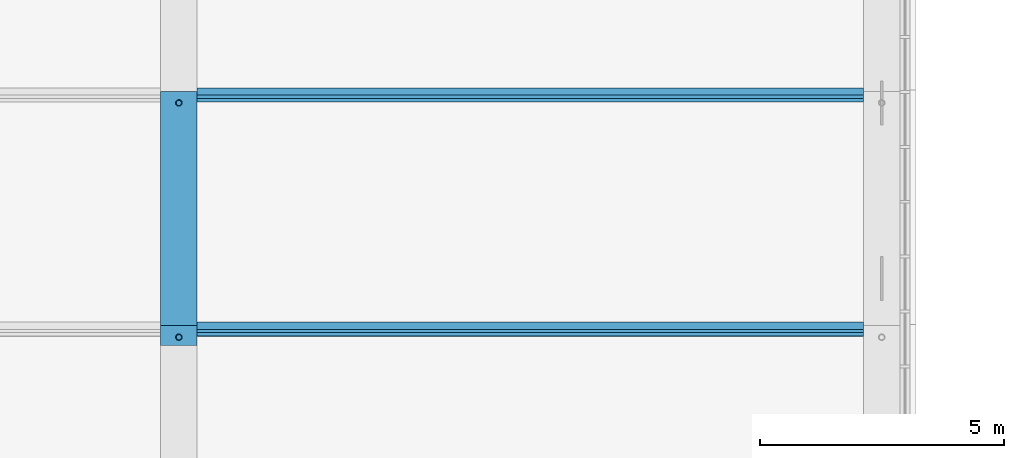
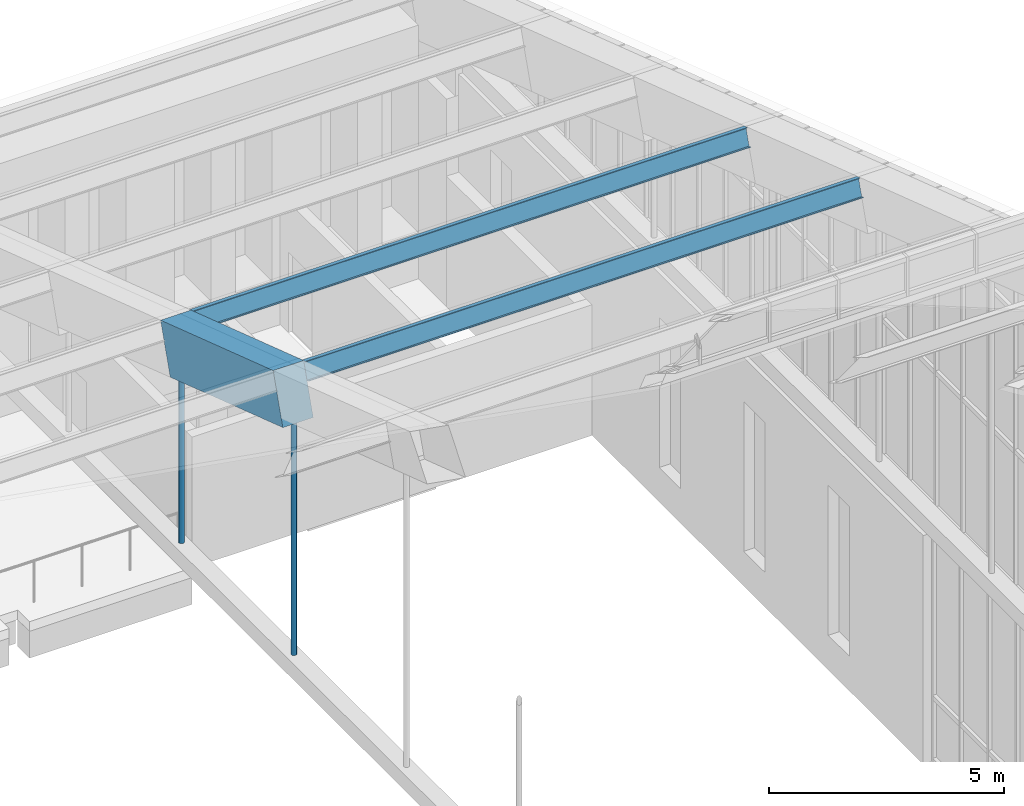
# One storey, part 83 of 149: 4 members, 1 beam.
"""IFC4 building model written with IfcOpenShell, lengths in metres."""

from ifc_helpers import new_model, si_unit, direction, frame, origin, origin_2d, place, context, subcontext, project, spatial, rectangle, hollow_circle, i_section, extrude, material, material_profile, profile_set, type_object, element, save


model = new_model("IFC4")

# Units and contexts
model_context = context("Model", 3, precision=1e-05, world=origin(), true_north=direction((0.0, 1.0)))
body_context = subcontext(model_context, "Body", "Model", "MODEL_VIEW")
ifc_project = project(units=[si_unit("LENGTHUNIT", "METRE"), si_unit("AREAUNIT", "SQUARE_METRE"), si_unit("VOLUMEUNIT", "CUBIC_METRE"), si_unit("PLANEANGLEUNIT", "RADIAN"), si_unit("MASSUNIT", "GRAM", prefix="KILO")], contexts=[model_context])

# Site, building, storey
site_placement = place(None, origin())
site = spatial("IfcSite", under=ifc_project, at=site_placement, CompositionType="ELEMENT")
building_placement = place(site_placement, origin())
building = spatial("IfcBuilding", under=site, at=building_placement, Name="Alderwick Market Hall", CompositionType="ELEMENT")
storey_placement = place(building_placement, frame((0.0, 0.0, 9.60009765625)))
storey = spatial("IfcBuildingStorey", under=building, at=storey_placement, Name="L01", CompositionType="ELEMENT", Elevation=9.60009765625)

# Beam
ifc_material_1 = material(Name="Concrete 5000 psi (f'c 35 MPa)", Category="concrete")
ifc_material_profile_1 = material_profile(ifc_material_1, rectangle(XDim=0.75, YDim=1.300048828125, at=origin_2d()), Name="RC 750x1300")
ifc_profile_set_1 = profile_set([ifc_material_profile_1], Name="Concrete 5000 psi (f'c 35 MPa)")
beam_type = type_object("IfcBeamType", Name="R Arch Rib Haunch 750x1300", PredefinedType="BEAM", material=ifc_profile_set_1)
beam_placement = place(storey_placement, frame((136.800048828125, 88.83154296875, 13.0947265625), z_axis=(0.0, 0.948692948114, -0.316198814353), x_axis=(-1.0, 0.0, 0.0)))
element("IfcBeam", 1, at=beam_placement, inside=storey, type_object=beam_type, Name="Arch rib 7 chord 9", PredefinedType="BEAM", context=body_context, shape_type="SweptSolid", body=[
    extrude(rectangle(XDim=0.75, YDim=1.300048828125, at=origin_2d()), origin(), (0.0, 0.0, 1.0), 5.0595703125),
])

# Members
ifc_material_2 = material(Name="Steel ASTM A500 Grade C", Category="steel")
ifc_material_profile_2 = material_profile(ifc_material_2, hollow_circle(Radius=0.0634765625, WallThickness=0.005859375, at=origin_2d()), Name="HSS5.000x0.250")
ifc_profile_set_2 = profile_set([ifc_material_profile_2], Name="Steel ASTM A500 Grade C")
member_type_1 = type_object("IfcMemberType", Name="R Hanger HSS5.000x0.250", PredefinedType="POST", material=ifc_profile_set_2)
member_1_placement = place(storey_placement, frame((136.800048828125, 88.800048828125, 6.35302734375), z_axis=(0.0, 0.0, 1.0), x_axis=(1.0, 0.0, 0.0)))
element("IfcMember", 2, at=member_1_placement, inside=storey, type_object=member_type_1, Name="Arch hanger 7.8", PredefinedType="POST", context=body_context, shape_type="SweptSolid", body=[
    extrude(hollow_circle(Radius=0.0634765625, WallThickness=0.005859375, at=origin_2d()), origin(), (0.0, 0.0, 1.0), 6.0458984375),
])
member_2_placement = place(storey_placement, frame((136.800048828125, 93.60009765625, 6.35302734375), z_axis=(0.0, 0.0, 1.0), x_axis=(1.0, 0.0, 0.0)))
element("IfcMember", 3, at=member_2_placement, inside=storey, type_object=member_type_1, Name="Arch hanger 7.9", PredefinedType="POST", context=body_context, shape_type="SweptSolid", body=[
    extrude(hollow_circle(Radius=0.0634765625, WallThickness=0.005859375, at=origin_2d()), origin(), (0.0, 0.0, 1.0), 4.446044921875),
])
ifc_material_3 = material(Name="Steel ASTM A992 Grade 50", Category="steel")
ifc_material_profile_3 = material_profile(ifc_material_3, i_section(OverallWidth=0.153076171875, OverallDepth=0.455078125, WebThickness=0.008056640625, FlangeThickness=0.01318359375, at=origin_2d()), Name="W18x40")
ifc_profile_set_3 = profile_set([ifc_material_profile_3], Name="Steel ASTM A992 Grade 50")
member_type_2 = type_object("IfcMemberType", Name="R Purlin W18x40", PredefinedType="PURLIN", material=ifc_profile_set_3)
for number, where, z_axis, x_axis, name in (
    (4, (137.175048828125, 88.96337890625, 13.489990234375), (1.0, 0.0, 0.0), (0.0, 0.948683297073, -0.316227768949), "Roof purlin 9.7"),
    (5, (137.175048828125, 93.763427734375, 11.889892578125), (1.0, 0.0, 0.0), (0.0, 0.948683297073, -0.316227768949), "Roof purlin 10.7"),
):
    element("IfcMember", number, at=place(storey_placement, frame(where, z_axis=z_axis, x_axis=x_axis)), inside=storey, type_object=member_type_2, Name=name, PredefinedType="PURLIN", context=body_context, shape_type="SweptSolid", body=[
        extrude(i_section(OverallWidth=0.153076171875, OverallDepth=0.455078125, WebThickness=0.008056640625, FlangeThickness=0.01318359375, at=origin_2d()), origin(), (0.0, 0.0, 1.0), 13.64990234375),
    ])

save(model, "model.ifc")
